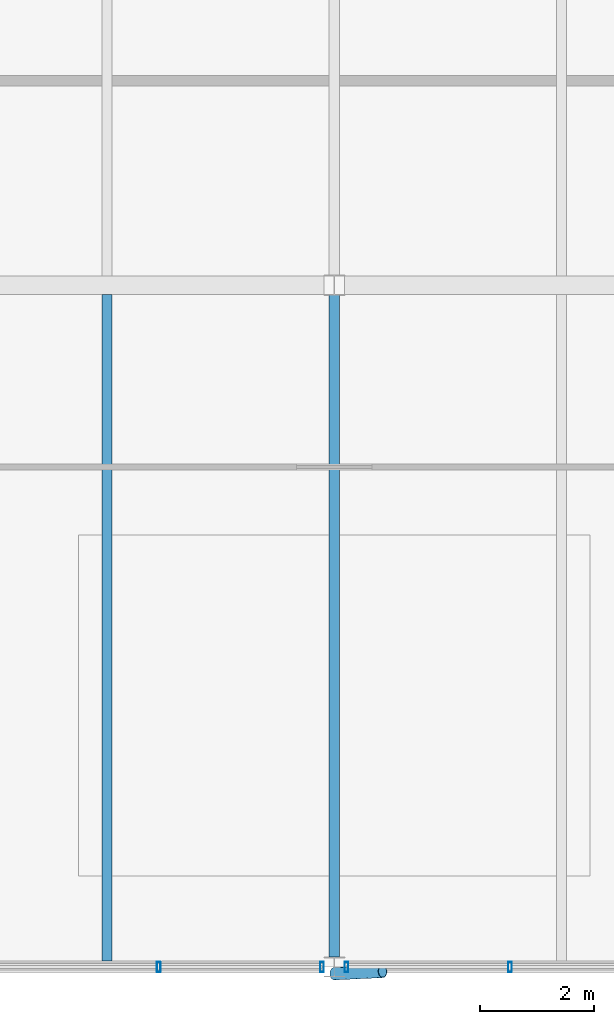
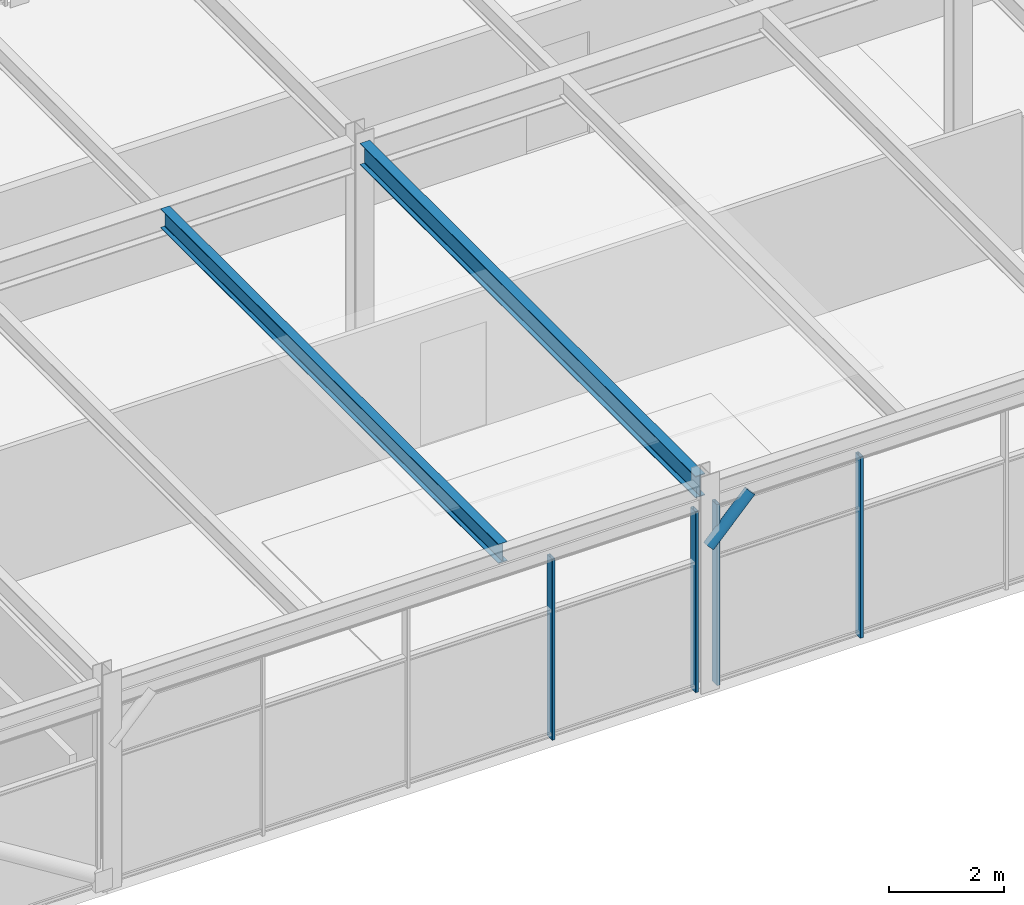
# One storey, part 13 of 28: 5 members, 2 beams, 2 elements without a shape of their own.
"""IFC4 building model written with IfcOpenShell, lengths in metres."""

from ifc_helpers import new_model, si_unit, direction, frame, origin, origin_2d, place, context, subcontext, project, spatial, hollow_rectangle, hollow_circle, i_section, extrude, material, material_profile, profile_set, type_object, element, aggregate, save


model = new_model("IFC4")

# Units and contexts
model_context = context("Model", 3, precision=1e-05, world=origin(), true_north=direction((0.0, 1.0)))
body_context = subcontext(model_context, "Body", "Model", "MODEL_VIEW")
ifc_project = project(units=[si_unit("LENGTHUNIT", "METRE"), si_unit("AREAUNIT", "SQUARE_METRE"), si_unit("VOLUMEUNIT", "CUBIC_METRE"), si_unit("PLANEANGLEUNIT", "RADIAN"), si_unit("MASSUNIT", "GRAM", prefix="KILO")], contexts=[model_context])

# Site, building, storey
site_placement = place(None, origin())
site = spatial("IfcSite", under=ifc_project, at=site_placement, CompositionType="ELEMENT")
building_placement = place(site_placement, origin())
building = spatial("IfcBuilding", under=site, at=building_placement, Name="Girod Span Mobility Hub", CompositionType="ELEMENT")
storey_placement = place(building_placement, frame((0.0, 0.0, 69.60009765625)))
storey = spatial("IfcBuildingStorey", under=building, at=storey_placement, Name="L17", CompositionType="ELEMENT", Elevation=69.60009765625)

# Beams
ifc_material_1 = material(Name="Steel A992 Grade 50", Category="steel")
ifc_material_profile_1 = material_profile(ifc_material_1, i_section(OverallWidth=0.178955078125, OverallDepth=0.409912109375, WebThickness=0.0087890625, FlangeThickness=0.014404296875, FilletRadius=0.012939453125, at=origin_2d()), Name="W16X45")
ifc_profile_set_1 = profile_set([ifc_material_profile_1], Name="Steel A992 Grade 50")
beam_type_1 = type_object("IfcBeamType", Name="BM-STL-W16X45", PredefinedType="BEAM", material=ifc_profile_set_1)
beam_1_placement = place(storey_placement, frame((80.0, 45.10302734375, 4.1748046875), z_axis=(0.0, 1.0, 0.0), x_axis=(-1.0, 0.0, 0.0)))
element("IfcBeam", 1, at=beam_1_placement, inside=storey, type_object=beam_type_1, Name="Composite Floorbeam 7/D-2 L17", PredefinedType="BEAM", context=body_context, shape_type="SweptSolid", body=[
    extrude(i_section(OverallWidth=0.178955078125, OverallDepth=0.409912109375, WebThickness=0.0087890625, FlangeThickness=0.014404296875, FilletRadius=0.012939453125, at=origin_2d()), origin(), (0.0, 0.0, 1.0), 11.738037109375),
])
ifc_material_2 = material(Name="Steel A992 Grade 50", Category="steel")
ifc_material_profile_2 = material_profile(ifc_material_2, i_section(OverallWidth=0.19189453125, OverallDepth=0.462890625, WebThickness=0.010498046875, FlangeThickness=0.017578125, FilletRadius=0.013916015625, at=origin_2d()), Name="W18X60")
ifc_profile_set_2 = profile_set([ifc_material_profile_2], Name="Steel A992 Grade 50")
beam_type_2 = type_object("IfcBeamType", Name="BM-STL-W18X60", PredefinedType="BEAM", material=ifc_profile_set_2)
beam_2_placement = place(storey_placement, frame((84.0, 45.175048828125, 4.1484375), z_axis=(0.0, 1.0, 0.0), x_axis=(-1.0, 0.0, 0.0)))
element("IfcBeam", 2, at=beam_2_placement, inside=storey, type_object=beam_type_2, Name="Tie Girder 8/D-E L17", PredefinedType="BEAM", context=body_context, shape_type="SweptSolid", body=[
    extrude(i_section(OverallWidth=0.19189453125, OverallDepth=0.462890625, WebThickness=0.010498046875, FlangeThickness=0.017578125, FilletRadius=0.013916015625, at=origin_2d()), origin(), (0.0, 0.0, 1.0), 11.64990234375),
])

# Curtain wall, members
ifc_material_3 = material(Name="Thermally Broken Anodised Aluminium", Category="aluminium")
curtain_wall_type = type_object("IfcCurtainWallType", Name="CW-1164X384", PredefinedType="USERDEFINED", material=ifc_material_3)
curtain_wall_1_placement = place(storey_placement, origin())
curtain_wall_1 = element("IfcCurtainWall", 3, at=curtain_wall_1_placement, inside=storey, type_object=curtain_wall_type, Name="Unitised Curtain Wall CW-L17-S07 L17", ObjectType="UNITISED CURTAIN WALL", PredefinedType="USERDEFINED")
ifc_material_4 = material(Name="Thermally Broken Anodised Aluminium", Category="aluminium")
ifc_material_profile_3 = material_profile(ifc_material_4, hollow_rectangle(XDim=0.179931640625, YDim=0.06494140625, WallThickness=0.00390625, InnerFilletRadius=0.00390625, OuterFilletRadius=0.008056640625, at=origin_2d()), Name="CW-ML-65X180")
ifc_profile_set_3 = profile_set([ifc_material_profile_3], Name="Thermally Broken Anodised Aluminium")
member_type_1 = type_object("IfcMemberType", Name="CWM-ML-2", PredefinedType="MULLION", material=ifc_profile_set_3)
member_1_placement = place(storey_placement, frame((80.90869140625, 45.0, 0.0), z_axis=(0.0, 0.0, 1.0), x_axis=(0.0, 1.0, 0.0)))
member_1 = element("IfcMember", 4, at=member_1_placement, type_object=member_type_1, Name="Curtain Wall Mullion CW-L17-S07-M3", PredefinedType="MULLION", context=body_context, shape_type="SweptSolid", body=[
    extrude(hollow_rectangle(XDim=0.179931640625, YDim=0.06494140625, WallThickness=0.00390625, InnerFilletRadius=0.00390625, OuterFilletRadius=0.008056640625, at=origin_2d()), origin(), (0.0, 0.0, 1.0), 3.8359375),
])
member_2_placement = place(storey_placement, frame((83.785400390625, 45.0, 0.0), z_axis=(0.0, 0.0, 1.0), x_axis=(0.0, 1.0, 0.0)))
member_2 = element("IfcMember", 5, at=member_2_placement, type_object=member_type_1, Name="Curtain Wall Mullion CW-L17-S07-M4", PredefinedType="MULLION", context=body_context, shape_type="SweptSolid", body=[
    extrude(hollow_rectangle(XDim=0.179931640625, YDim=0.06494140625, WallThickness=0.00390625, InnerFilletRadius=0.00390625, OuterFilletRadius=0.008056640625, at=origin_2d()), origin(), (0.0, 0.0, 1.0), 3.8359375),
])
aggregate(curtain_wall_1, [member_1, member_2])

curtain_wall_2_placement = place(storey_placement, origin())
curtain_wall_2 = element("IfcCurtainWall", 6, at=curtain_wall_2_placement, inside=storey, type_object=curtain_wall_type, Name="Unitised Curtain Wall CW-L17-S08 L17", ObjectType="UNITISED CURTAIN WALL", PredefinedType="USERDEFINED")
member_3_placement = place(storey_placement, frame((84.214599609375, 45.0, 0.0), z_axis=(0.0, 0.0, 1.0), x_axis=(0.0, 1.0, 0.0)))
member_3 = element("IfcMember", 7, at=member_3_placement, type_object=member_type_1, Name="Curtain Wall Mullion CW-L17-S08-M0", PredefinedType="MULLION", context=body_context, shape_type="SweptSolid", body=[
    extrude(hollow_rectangle(XDim=0.179931640625, YDim=0.06494140625, WallThickness=0.00390625, InnerFilletRadius=0.00390625, OuterFilletRadius=0.008056640625, at=origin_2d()), origin(), (0.0, 0.0, 1.0), 3.8359375),
])
member_4_placement = place(storey_placement, frame((87.09130859375, 45.0, 0.0), z_axis=(0.0, 0.0, 1.0), x_axis=(0.0, 1.0, 0.0)))
member_4 = element("IfcMember", 8, at=member_4_placement, type_object=member_type_1, Name="Curtain Wall Mullion CW-L17-S08-M1", PredefinedType="MULLION", context=body_context, shape_type="SweptSolid", body=[
    extrude(hollow_rectangle(XDim=0.179931640625, YDim=0.06494140625, WallThickness=0.00390625, InnerFilletRadius=0.00390625, OuterFilletRadius=0.008056640625, at=origin_2d()), origin(), (0.0, 0.0, 1.0), 3.8359375),
])
aggregate(curtain_wall_2, [member_3, member_4])

# Member
ifc_material_5 = material(Name="Steel HSS A500 Grade C", Category="steel")
ifc_material_profile_4 = material_profile(ifc_material_5, hollow_circle(Radius=0.109619140625, WallThickness=0.0087890625, at=origin_2d()), Name="HSS219X9.5")
ifc_profile_set_4 = profile_set([ifc_material_profile_4], Name="Steel HSS A500 Grade C")
member_type_2 = type_object("IfcMemberType", Name="MB-ST-HSS219", PredefinedType="STRUT", material=ifc_profile_set_4)
member_5_placement = place(storey_placement, frame((84.0, 44.8798828125, 3.0498046875), z_axis=(0.706714954442, 0.033285827837, 0.706714954442), x_axis=(-0.047047213483, 0.998892666758, 0.0)))
element("IfcMember", 9, at=member_5_placement, inside=storey, type_object=member_type_2, Name="Solar Shading Knee Strut 8 L17", PredefinedType="STRUT", context=body_context, shape_type="SweptSolid", body=[
    extrude(hollow_circle(Radius=0.109619140625, WallThickness=0.0087890625, at=origin_2d()), origin(), (0.0, 0.0, 1.0), 1.202880859375),
])

save(model, "model.ifc")
